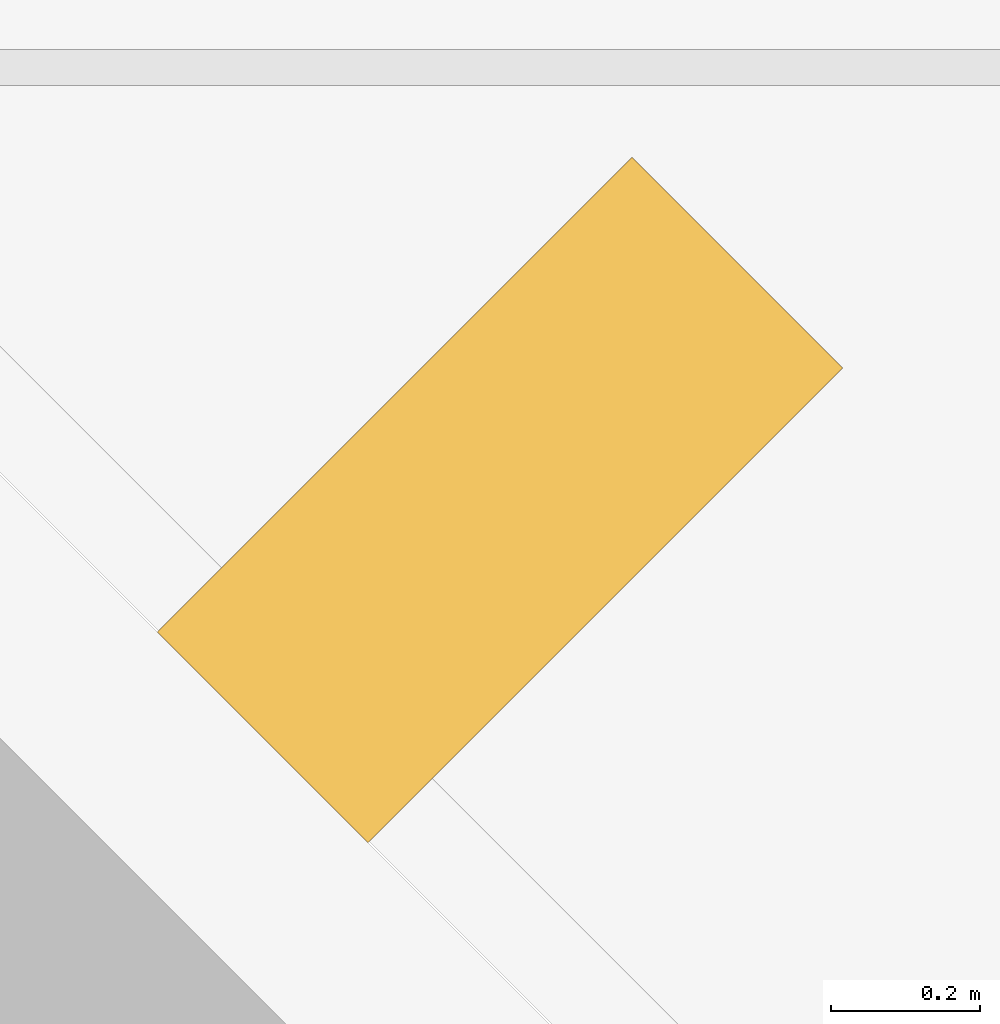
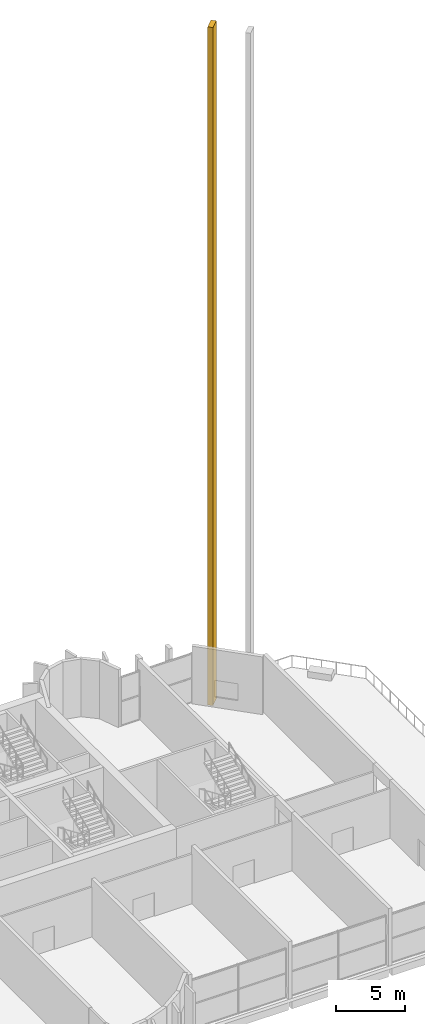
# One storey, part 18 of 19: 1 covering.
"""IFC4 building model written with IfcOpenShell, lengths in metres."""

from ifc_helpers import new_model, si_unit, direction, frame, origin, origin_2d, place, context, subcontext, project, spatial, rectangle, extrude, source, transform, mapped, material, material_profile, profile_set, type_object, element, save


model = new_model("IFC4")

# Units and contexts
model_context = context("Model", 3, precision=1e-05, world=origin(), true_north=direction((0.0, 1.0)))
body_context = subcontext(model_context, "Body", "Model", "MODEL_VIEW")
ifc_project = project(units=[si_unit("LENGTHUNIT", "METRE"), si_unit("AREAUNIT", "SQUARE_METRE"), si_unit("VOLUMEUNIT", "CUBIC_METRE"), si_unit("PLANEANGLEUNIT", "RADIAN"), si_unit("MASSUNIT", "GRAM", prefix="KILO")], contexts=[model_context])

# Site, building, storey
site_placement = place(None, origin())
site = spatial("IfcSite", under=ifc_project, at=site_placement, CompositionType="ELEMENT")
building_placement = place(site_placement, origin())
building = spatial("IfcBuilding", under=site, at=building_placement, Name="Vanashikhar Sky Hotel", CompositionType="ELEMENT")
storey_placement = place(building_placement, frame((0.0, 0.0, 146.199951171875)))
storey = spatial("IfcBuildingStorey", under=building, at=storey_placement, Name="L35", CompositionType="ELEMENT", Elevation=146.199951171875)

# Covering
ifc_material = material(Name="Concrete M60 dark", Category="concrete")
ifc_material_profile = material_profile(ifc_material, rectangle(XDim=0.89990234375, YDim=0.39990234375, at=origin_2d()))
ifc_profile_set = profile_set([ifc_material_profile], Name="Chamfer fin 900 x 400")
covering_type = type_object("IfcCoveringType", Name="Chamfer fin 900 x 400", PredefinedType="CLADDING", material=ifc_profile_set)
shared_shape = source(origin(), body_context, "Body", "SweptSolid", [
    extrude(rectangle(XDim=0.89990234375, YDim=0.39990234375, at=origin_2d()), origin(), (0.0, 0.0, 1.0), 60.2001953125),
])
covering_placement = place(storey_placement, frame((89.71826171875, 41.318115234375, -0.280029296875), z_axis=(0.0, 0.0, 1.0), x_axis=(0.707106781187, 0.707106781187, 0.0)))
element("IfcCovering", 1, at=covering_placement, inside=storey, type_object=covering_type, Name="Chamfer fin", PredefinedType="CLADDING", context=body_context, shape_type="MappedRepresentation", body=[
    mapped(shared_shape, transform((0.0, 0.0, 0.0), scale=1.0)),
])

save(model, "model.ifc")
